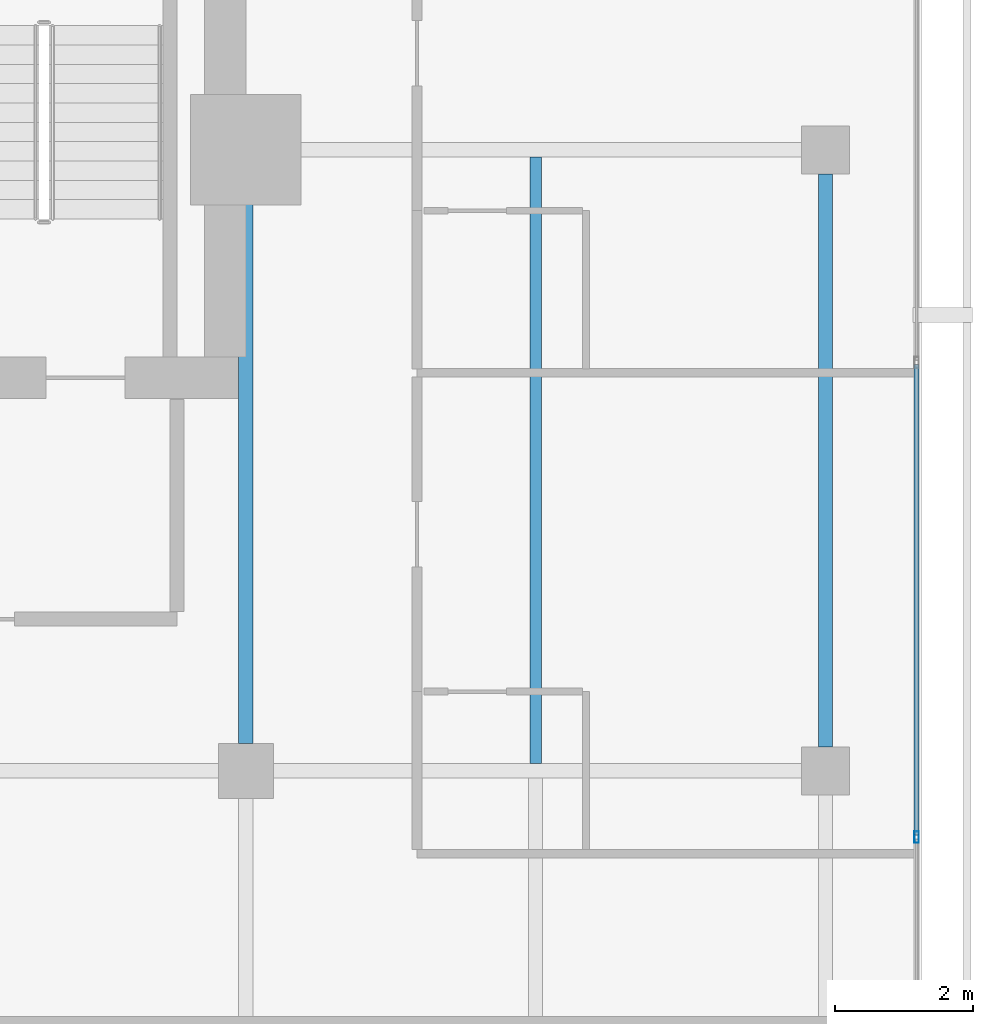
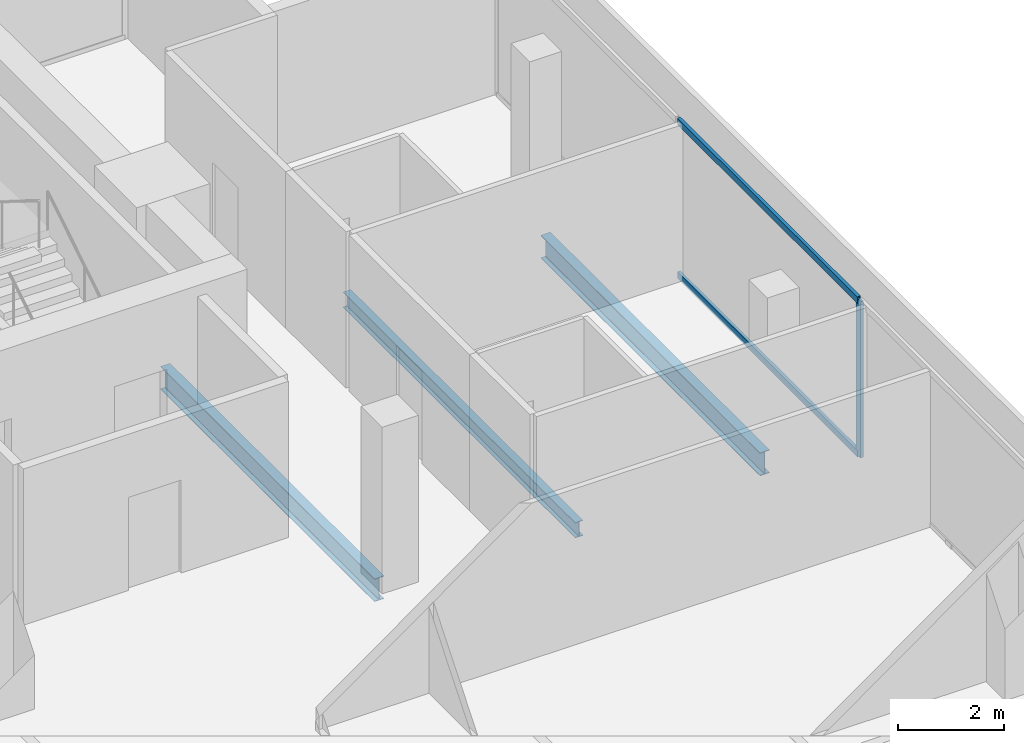
# One storey, part 15 of 26: 3 beams, 3 members, 1 element without a shape of its own.
"""IFC4 building model written with IfcOpenShell, lengths in metres."""

from ifc_helpers import new_model, si_unit, direction, frame, origin, origin_2d, place, context, subcontext, project, spatial, hollow_rectangle, i_section, extrude, material, layer, layer_set, material_profile, profile_set, type_object, element, aggregate, save


model = new_model("IFC4")

# Units and contexts
model_context = context("Model", 3, precision=1e-05, world=origin(), true_north=direction((0.0, 1.0)))
body_context = subcontext(model_context, "Body", "Model", "MODEL_VIEW")
ifc_project = project(units=[si_unit("LENGTHUNIT", "METRE"), si_unit("AREAUNIT", "SQUARE_METRE"), si_unit("VOLUMEUNIT", "CUBIC_METRE"), si_unit("PLANEANGLEUNIT", "RADIAN"), si_unit("MASSUNIT", "GRAM", prefix="KILO")], contexts=[model_context])

# Site, building, storey
site_placement = place(None, origin())
site = spatial("IfcSite", under=ifc_project, at=site_placement, CompositionType="ELEMENT")
building_placement = place(site_placement, origin())
building = spatial("IfcBuilding", under=site, at=building_placement, Name="Maruvema Waterfront Hotel and Observation Tower", CompositionType="ELEMENT")
storey_placement = place(building_placement, frame((0.0, 0.0, 258.64990234375)))
storey = spatial("IfcBuildingStorey", under=building, at=storey_placement, Name="L63", CompositionType="ELEMENT", Elevation=258.64990234375)

# Curtain wall, members
ifc_material_1 = material(Name="Anodised bronze aluminium and solar-control low-E IGU", Category="aluminium")
ifc_layer = layer(ifc_material_1, 0.159912109375, Name="Zone 3 Champagne Inner Thermal Curtain Wall System CW-04")
ifc_layer_set = layer_set([ifc_layer], Name="Anodised bronze aluminium and solar-control low-E IGU")
curtain_wall_type = type_object("IfcCurtainWallType", Name="Zone 3 Champagne Inner Thermal Curtain Wall System CW-04", PredefinedType="USERDEFINED", material=ifc_layer_set)
curtain_wall_placement = place(storey_placement, origin())
curtain_wall = element("IfcCurtainWall", 1, at=curtain_wall_placement, inside=storey, type_object=curtain_wall_type, Name="L63 Curtain Wall CW-L63-E", ObjectType="UNITISED CURTAIN WALL", PredefinedType="USERDEFINED")
ifc_material_2 = material(Name="Anodised architectural bronze aluminium", Category="aluminium")
ifc_material_profile_1 = material_profile(ifc_material_2, hollow_rectangle(XDim=0.070068359375, YDim=0.14990234375, WallThickness=0.00390625, at=origin_2d()), Name="ALU-T70x150")
ifc_profile_set_1 = profile_set([ifc_material_profile_1], Name="Anodised architectural bronze aluminium")
member_type_1 = type_object("IfcMemberType", Name="Curtain Wall Horizontal Transom ALU-T70x150", PredefinedType="USERDEFINED", material=ifc_profile_set_1)
member_1_placement = place(storey_placement, frame((60.1201171875, 35.070068359375, 0.030029296875), z_axis=(0.0, 1.0, 0.0), x_axis=(-1.0, 0.0, 0.0)))
member_1 = element("IfcMember", 2, at=member_1_placement, type_object=member_type_1, Name="CW-04 transom 4.1", ObjectType="TRANSOM", PredefinedType="USERDEFINED", context=body_context, shape_type="SweptSolid", body=[
    extrude(hollow_rectangle(XDim=0.070068359375, YDim=0.14990234375, WallThickness=0.00390625, at=origin_2d()), origin(), (0.0, 0.0, 1.0), 6.81982421875),
])
member_2_placement = place(storey_placement, frame((60.1201171875, 35.070068359375, 3.580078125), z_axis=(0.0, 1.0, 0.0), x_axis=(-1.0, 0.0, 0.0)))
member_2 = element("IfcMember", 3, at=member_2_placement, type_object=member_type_1, Name="CW-04 transom 4.2", ObjectType="TRANSOM", PredefinedType="USERDEFINED", context=body_context, shape_type="SweptSolid", body=[
    extrude(hollow_rectangle(XDim=0.070068359375, YDim=0.14990234375, WallThickness=0.00390625, at=origin_2d()), origin(), (0.0, 0.0, 1.0), 6.81982421875),
])
ifc_material_3 = material(Name="Anodised architectural bronze aluminium", Category="aluminium")
ifc_material_profile_2 = material_profile(ifc_material_3, hollow_rectangle(XDim=0.06494140625, YDim=0.1650390625, WallThickness=0.00390625, at=origin_2d()), Name="ALU-M65x165")
ifc_profile_set_2 = profile_set([ifc_material_profile_2], Name="Anodised architectural bronze aluminium")
member_type_2 = type_object("IfcMemberType", Name="Curtain Wall Primary Mullion ALU-M65x165", PredefinedType="MULLION", material=ifc_profile_set_2)
member_3_placement = place(storey_placement, frame((60.1201171875, 35.0400390625, 0.0), z_axis=(0.0, 0.0, 1.0), x_axis=(-1.0, 0.0, 0.0)))
member_3 = element("IfcMember", 4, at=member_3_placement, type_object=member_type_2, Name="CW-04 mullion 4", PredefinedType="MULLION", context=body_context, shape_type="SweptSolid", body=[
    extrude(hollow_rectangle(XDim=0.06494140625, YDim=0.1650390625, WallThickness=0.00390625, at=origin_2d()), origin(), (0.0, 0.0, 1.0), 3.610107421875),
])
aggregate(curtain_wall, [member_3, member_1, member_2])

# Beams
ifc_material_4 = material(Name="Steel ASTM A572 Grade 50", Category="steel")
ifc_material_profile_3 = material_profile(ifc_material_4, i_section(OverallWidth=0.208984375, OverallDepth=0.532958984375, WebThickness=0.01025390625, FlangeThickness=0.015625, FilletRadius=0.014892578125, at=origin_2d()), Name="W530x92.0")
ifc_profile_set_3 = profile_set([ifc_material_profile_3], Name="Steel ASTM A572 Grade 50")
beam_type_1 = type_object("IfcBeamType", Name="Primary Floor Girder W530x92.0", PredefinedType="BEAM", material=ifc_profile_set_3)
beam_1_placement = place(storey_placement, frame((50.39990234375, 36.39990234375, -0.50634765625), z_axis=(0.0, 1.0, 0.0), x_axis=(-1.0, 0.0, 0.0)))
element("IfcBeam", 5, at=beam_1_placement, inside=storey, type_object=beam_type_1, Name="L63 Floor Girder NS-15", PredefinedType="BEAM", context=body_context, shape_type="SweptSolid", body=[
    extrude(i_section(OverallWidth=0.208984375, OverallDepth=0.532958984375, WebThickness=0.01025390625, FlangeThickness=0.015625, FilletRadius=0.014892578125, at=origin_2d()), origin(), (0.0, 0.0, 1.0), 8.10009765625),
])
beam_2_placement = place(storey_placement, frame((58.800048828125, 36.35009765625, -0.50634765625), z_axis=(0.0, 1.0, 0.0), x_axis=(-1.0, 0.0, 0.0)))
element("IfcBeam", 6, at=beam_2_placement, inside=storey, type_object=beam_type_1, Name="L63 Floor Girder NS-18", PredefinedType="BEAM", context=body_context, shape_type="SweptSolid", body=[
    extrude(i_section(OverallWidth=0.208984375, OverallDepth=0.532958984375, WebThickness=0.01025390625, FlangeThickness=0.015625, FilletRadius=0.014892578125, at=origin_2d()), origin(), (0.0, 0.0, 1.0), 8.2998046875),
])
ifc_material_5 = material(Name="Steel ASTM A572 Grade 50", Category="steel")
ifc_material_profile_4 = material_profile(ifc_material_5, i_section(OverallWidth=0.1708984375, OverallDepth=0.35498046875, WebThickness=0.007080078125, FlangeThickness=0.01171875, FilletRadius=0.014892578125, at=origin_2d()), Name="W360x51.0")
ifc_profile_set_4 = profile_set([ifc_material_profile_4], Name="Steel ASTM A572 Grade 50")
beam_type_2 = type_object("IfcBeamType", Name="Secondary Floor Joist W360x51.0", PredefinedType="JOIST", material=ifc_profile_set_4)
beam_3_placement = place(storey_placement, frame((54.60009765625, 36.1044921875, -0.41748046875), z_axis=(0.0, 1.0, 0.0), x_axis=(-1.0, 0.0, 0.0)))
element("IfcBeam", 7, at=beam_3_placement, inside=storey, type_object=beam_type_2, Name="L63 Secondary Floor Joist JS-09", PredefinedType="JOIST", context=body_context, shape_type="SweptSolid", body=[
    extrude(i_section(OverallWidth=0.1708984375, OverallDepth=0.35498046875, WebThickness=0.007080078125, FlangeThickness=0.01171875, FilletRadius=0.014892578125, at=origin_2d()), origin(), (0.0, 0.0, 1.0), 8.791015625),
])

save(model, "model.ifc")
